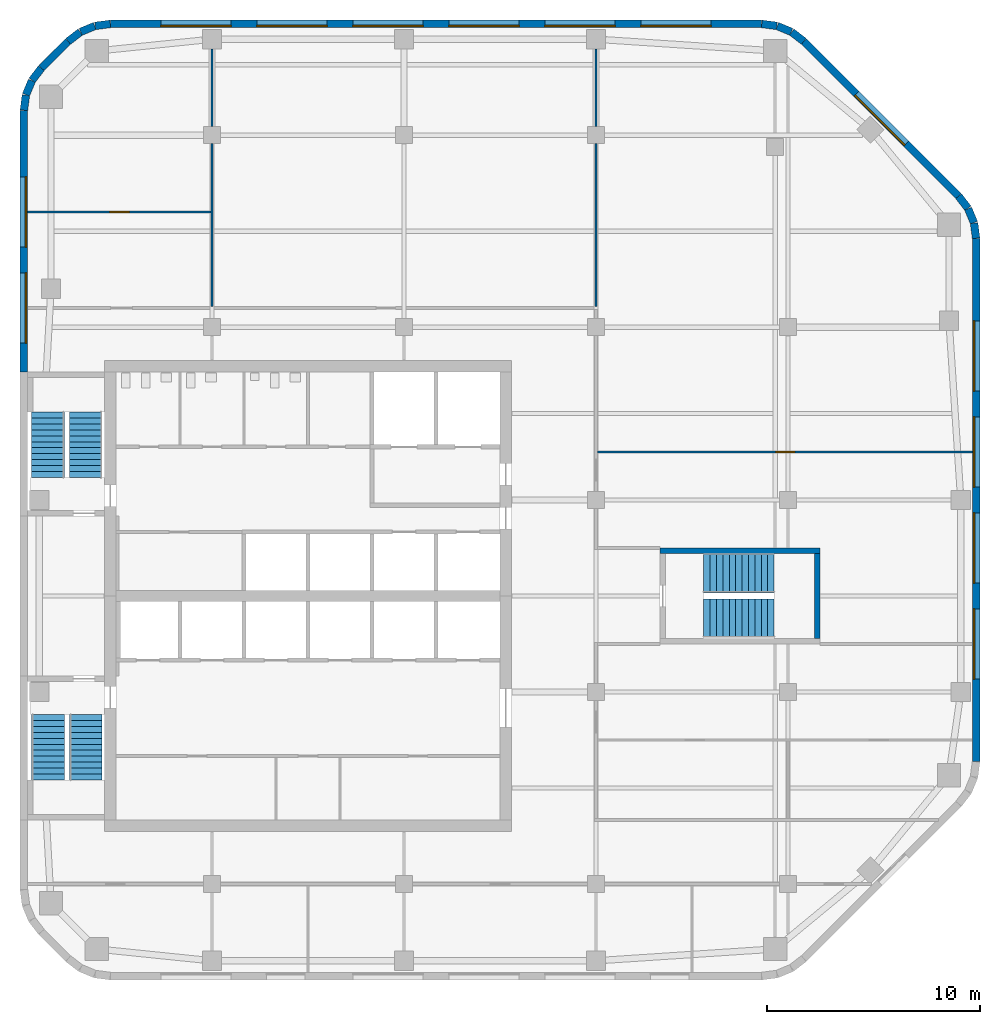
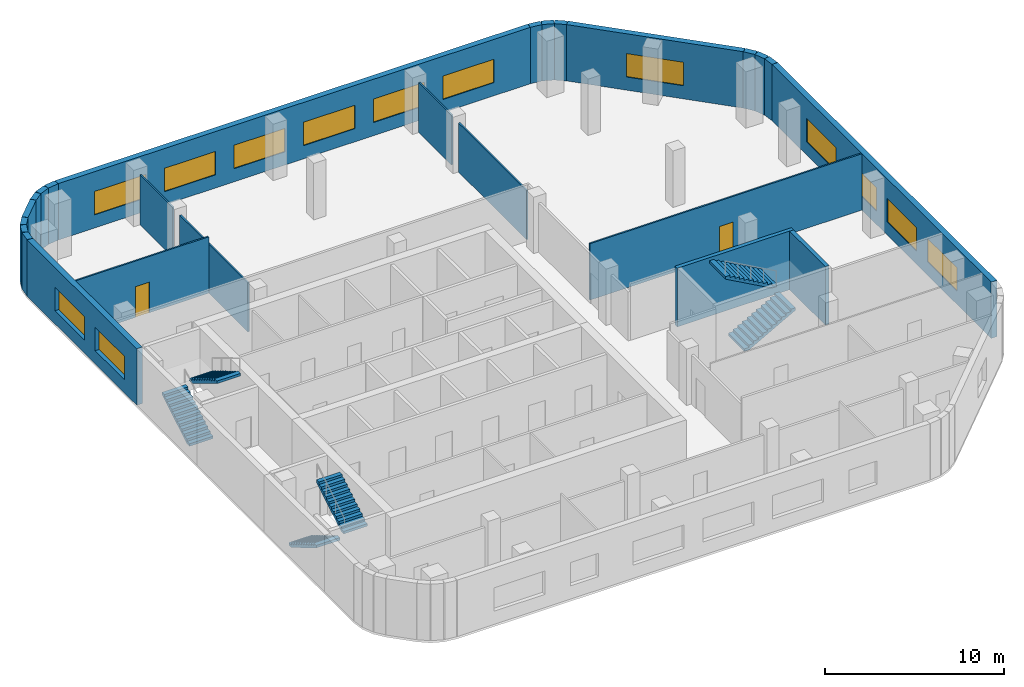
# One storey, part 5 of 7: 25 walls, 13 windows, 6 stair flights, 2 doors, 15 openings, 3 elements without a shape of their own.
"""IFC4 building model written with IfcOpenShell, lengths in metres."""

from ifc_helpers import new_model, si_unit, direction, frame, frame_2d, origin, place, context, subcontext, project, spatial, polyline, rectangle, outline, extrude, material, layer, layer_set, type_object, element, fill, aggregate, save


model = new_model("IFC4")

# Units and contexts
model_context = context("Model", 3, precision=1e-05, world=origin(), true_north=direction((0.0, 1.0)))
body_context = subcontext(model_context, "Body", "Model", "MODEL_VIEW")
ifc_project = project(units=[si_unit("LENGTHUNIT", "METRE"), si_unit("AREAUNIT", "SQUARE_METRE"), si_unit("VOLUMEUNIT", "CUBIC_METRE"), si_unit("PLANEANGLEUNIT", "RADIAN"), si_unit("MASSUNIT", "GRAM", prefix="KILO")], contexts=[model_context])

# Site, building, storey
site_placement = place(None, origin())
site = spatial("IfcSite", under=ifc_project, at=site_placement, CompositionType="ELEMENT")
building_placement = place(site_placement, origin())
building = spatial("IfcBuilding", under=site, at=building_placement, Name="Cinnabar Reach Civic Tower", CompositionType="ELEMENT")
storey_placement = place(building_placement, frame((0.0, 0.0, 230.0)))
storey = spatial("IfcBuildingStorey", under=building, at=storey_placement, Name="L55", CompositionType="ELEMENT", Elevation=230.0)

# Walls
ifc_material_1 = material(Name="Facing brick with insulated backing", Category="masonry")
ifc_layer_1 = layer(ifc_material_1, 0.36)
ifc_layer_set_1 = layer_set([ifc_layer_1], Name="Brick corner wall")
wall_type_1 = type_object("IfcWallType", Name="Brick corner wall", PredefinedType="STANDARD", material=ifc_layer_set_1)
for number, where, z_axis, x_axis, name in (
    (1, (44.817, 48.2686, 0.0), (0.0, 0.0, 1.0), (-0.13055608231, 0.99144092581, 0.0), "Brick corner wall"),
    (2, (44.7181, 48.9973, 0.0), (0.0, 0.0, 1.0), (-0.382702709855, 0.923871547278, 0.0), "Brick corner wall"),
):
    element("IfcWall", number, at=place(storey_placement, frame(where, z_axis=z_axis, x_axis=x_axis)), inside=storey, type_object=wall_type_1, Name=name, PredefinedType="STANDARD", context=body_context, shape_type="SweptSolid", body=[
        extrude(rectangle(XDim=0.7131, YDim=0.36, at=frame_2d((0.3565, 0.0))), origin(), (0.0, 0.0, 1.0), 3.85),
    ])
for number, where, z_axis, x_axis, name in (
    (3, (44.434, 49.6755, 0.0), (0.0, 0.0, 1.0), (-0.608802368033, 0.793321924995, 0.0), "Brick corner wall"),
    (4, (36.7413, 57.4998, 0.0), (0.0, 0.0, 1.0), (-0.793321924995, 0.608802368033, 0.0), "Brick corner wall"),
):
    element("IfcWall", number, at=place(storey_placement, frame(where, z_axis=z_axis, x_axis=x_axis)), inside=storey, type_object=wall_type_1, Name=name, PredefinedType="STANDARD", context=body_context, shape_type="SweptSolid", body=[
        extrude(rectangle(XDim=0.7132, YDim=0.36, at=frame_2d((0.3566, 0.0))), origin(), (0.0, 0.0, 1.0), 3.85),
    ])
for number, where, z_axis, x_axis, name in (
    (5, (36.1561, 57.9452, 0.0), (0.0, 0.0, 1.0), (-0.923871547278, 0.382702709855, 0.0), "Brick corner wall"),
    (6, (35.4756, 58.2239, 0.0), (0.0, 0.0, 1.0), (-0.99144092581, 0.13055608231, 0.0), "Brick corner wall"),
    (7, (4.2314, 58.317, 0.0), (0.0, 0.0, 1.0), (-0.99144092581, -0.13055608231, 0.0), "Brick corner wall"),
    (8, (3.5027, 58.2181, 0.0), (0.0, 0.0, 1.0), (-0.923871547278, -0.382702709855, 0.0), "Brick corner wall"),
):
    element("IfcWall", number, at=place(storey_placement, frame(where, z_axis=z_axis, x_axis=x_axis)), inside=storey, type_object=wall_type_1, Name=name, PredefinedType="STANDARD", context=body_context, shape_type="SweptSolid", body=[
        extrude(rectangle(XDim=0.7131, YDim=0.36, at=frame_2d((0.3565, 0.0))), origin(), (0.0, 0.0, 1.0), 3.85),
    ])
for number, where, z_axis, x_axis, name in (
    (9, (2.8245, 57.934, 0.0), (0.0, 0.0, 1.0), (-0.793321924995, -0.608802368033, 0.0), "Brick corner wall"),
    (10, (1.0002, 56.2413, 0.0), (0.0, 0.0, 1.0), (-0.608802368033, -0.793321924995, 0.0), "Brick corner wall"),
):
    element("IfcWall", number, at=place(storey_placement, frame(where, z_axis=z_axis, x_axis=x_axis)), inside=storey, type_object=wall_type_1, Name=name, PredefinedType="STANDARD", context=body_context, shape_type="SweptSolid", body=[
        extrude(rectangle(XDim=0.7132, YDim=0.36, at=frame_2d((0.3566, 0.0))), origin(), (0.0, 0.0, 1.0), 3.85),
    ])
for number, where, z_axis, x_axis, name in (
    (11, (0.5548, 55.6561, 0.0), (0.0, 0.0, 1.0), (-0.382702709855, -0.923871547278, 0.0), "Brick corner wall"),
    (12, (0.2761, 54.9756, 0.0), (0.0, 0.0, 1.0), (-0.13055608231, -0.99144092581, 0.0), "Brick corner wall"),
):
    element("IfcWall", number, at=place(storey_placement, frame(where, z_axis=z_axis, x_axis=x_axis)), inside=storey, type_object=wall_type_1, Name=name, PredefinedType="STANDARD", context=body_context, shape_type="SweptSolid", body=[
        extrude(rectangle(XDim=0.7131, YDim=0.36, at=frame_2d((0.3565, 0.0))), origin(), (0.0, 0.0, 1.0), 3.85),
    ])

# Wall, openings, windows
ifc_layer_2 = layer(ifc_material_1, 0.36)
ifc_layer_set_2 = layer_set([ifc_layer_2], Name="Brick pier and spandrel wall")
wall_type_2 = type_object("IfcWallType", Name="Brick pier and spandrel wall", PredefinedType="STANDARD", material=ifc_layer_set_2)
wall_1_placement = place(storey_placement, frame((44.82, 23.7426, 0.0), z_axis=(0.0, 0.0, 1.0), x_axis=(0.0, 1.0, 0.0)))
wall_1 = element("IfcWall", 13, at=wall_1_placement, inside=storey, type_object=wall_type_2, Name="Brick facade wall", PredefinedType="STANDARD", context=body_context, shape_type="SweptSolid", body=[
    extrude(rectangle(XDim=24.5148, YDim=0.36, at=frame_2d((12.2574, 0.0))), origin(), (0.0, 0.0, 1.0), 3.85),
])
opening_1_placement = place(wall_1_placement, frame((3.8574, 0.0, 0.9)))
opening_1 = element("IfcOpeningElement", 14, at=opening_1_placement, cuts=wall_1, Name="Opening W2127", PredefinedType="OPENING", context=body_context, shape_type="SweptSolid", body=[
    extrude(rectangle(XDim=3.3, YDim=1.6, at=frame_2d((1.65, 0.8))), frame((0.0, 0.19, 0.0), z_axis=(0.0, -1.0, 0.0), x_axis=(1.0, 0.0, 0.0)), (0.0, 0.0, 1.0), 0.38),
])
opening_2_placement = place(wall_1_placement, frame((8.3574, 0.0, 0.9)))
opening_2 = element("IfcOpeningElement", 15, at=opening_2_placement, cuts=wall_1, Name="Opening W2128", PredefinedType="OPENING", context=body_context, shape_type="SweptSolid", body=[
    extrude(rectangle(XDim=3.3, YDim=1.6, at=frame_2d((1.65, 0.8))), frame((0.0, 0.19, 0.0), z_axis=(0.0, -1.0, 0.0), x_axis=(1.0, 0.0, 0.0)), (0.0, 0.0, 1.0), 0.38),
])
opening_3_placement = place(wall_1_placement, frame((12.8574, 0.0, 0.9)))
opening_3 = element("IfcOpeningElement", 16, at=opening_3_placement, cuts=wall_1, Name="Opening W2129", PredefinedType="OPENING", context=body_context, shape_type="SweptSolid", body=[
    extrude(rectangle(XDim=3.3, YDim=1.6, at=frame_2d((1.65, 0.8))), frame((0.0, 0.19, 0.0), z_axis=(0.0, -1.0, 0.0), x_axis=(1.0, 0.0, 0.0)), (0.0, 0.0, 1.0), 0.38),
])
opening_4_placement = place(wall_1_placement, frame((17.3574, 0.0, 0.9)))
opening_4 = element("IfcOpeningElement", 17, at=opening_4_placement, cuts=wall_1, Name="Opening W2130", PredefinedType="OPENING", context=body_context, shape_type="SweptSolid", body=[
    extrude(rectangle(XDim=3.3, YDim=1.6, at=frame_2d((1.65, 0.8))), frame((0.0, 0.19, 0.0), z_axis=(0.0, -1.0, 0.0), x_axis=(1.0, 0.0, 0.0)), (0.0, 0.0, 1.0), 0.38),
])
ifc_material_2 = material(Name="Clear double glazing in aluminium frame", Category="aluminium")
window_type = type_object("IfcWindowType", Name="Deep-set window A", PartitioningType="SINGLE_PANEL", PredefinedType="WINDOW", material=ifc_material_2)
window_1_placement = place(opening_1_placement, origin())
window_1 = element("IfcWindow", 18, at=window_1_placement, inside=storey, type_object=window_type, Name="Window east face", OverallHeight=1.6, OverallWidth=3.3, PartitioningType="SINGLE_PANEL", PredefinedType="WINDOW", context=body_context, shape_type="SweptSolid", body=[
    extrude(rectangle(XDim=3.3, YDim=1.6, at=frame_2d((1.65, 0.8))), frame((0.0, 0.13, 0.0), z_axis=(0.0, -1.0, 0.0), x_axis=(1.0, 0.0, 0.0)), (0.0, 0.0, 1.0), 0.06),
])
fill(opening_1, window_1)
window_2_placement = place(opening_2_placement, origin())
window_2 = element("IfcWindow", 19, at=window_2_placement, inside=storey, type_object=window_type, Name="Window east face", OverallHeight=1.6, OverallWidth=3.3, PartitioningType="SINGLE_PANEL", PredefinedType="WINDOW", context=body_context, shape_type="SweptSolid", body=[
    extrude(rectangle(XDim=3.3, YDim=1.6, at=frame_2d((1.65, 0.8))), frame((0.0, 0.13, 0.0), z_axis=(0.0, -1.0, 0.0), x_axis=(1.0, 0.0, 0.0)), (0.0, 0.0, 1.0), 0.06),
])
fill(opening_2, window_2)
window_3_placement = place(opening_3_placement, origin())
window_3 = element("IfcWindow", 20, at=window_3_placement, inside=storey, type_object=window_type, Name="Window east face", OverallHeight=1.6, OverallWidth=3.3, PartitioningType="SINGLE_PANEL", PredefinedType="WINDOW", context=body_context, shape_type="SweptSolid", body=[
    extrude(rectangle(XDim=3.3, YDim=1.6, at=frame_2d((1.65, 0.8))), frame((0.0, 0.13, 0.0), z_axis=(0.0, -1.0, 0.0), x_axis=(1.0, 0.0, 0.0)), (0.0, 0.0, 1.0), 0.06),
])
fill(opening_3, window_3)
window_4_placement = place(opening_4_placement, origin())
window_4 = element("IfcWindow", 21, at=window_4_placement, inside=storey, type_object=window_type, Name="Window east face", OverallHeight=1.6, OverallWidth=3.3, PartitioningType="SINGLE_PANEL", PredefinedType="WINDOW", context=body_context, shape_type="SweptSolid", body=[
    extrude(rectangle(XDim=3.3, YDim=1.6, at=frame_2d((1.65, 0.8))), frame((0.0, 0.13, 0.0), z_axis=(0.0, -1.0, 0.0), x_axis=(1.0, 0.0, 0.0)), (0.0, 0.0, 1.0), 0.06),
])
fill(opening_4, window_4)

# Wall, opening, window
wall_2_placement = place(storey_placement, frame((43.994, 50.2514, 0.0), z_axis=(0.0, 0.0, 1.0), x_axis=(-0.707106781187, 0.707106781187, 0.0)))
wall_2 = element("IfcWall", 22, at=wall_2_placement, inside=storey, type_object=wall_type_2, Name="Brick facade wall", PredefinedType="STANDARD", context=body_context, shape_type="SweptSolid", body=[
    extrude(rectangle(XDim=10.2426, YDim=0.36, at=frame_2d((5.1213, 0.0))), origin(), (0.0, 0.0, 1.0), 3.85),
])
opening_5_placement = place(wall_2_placement, frame((3.4713, 0.0, 0.9)))
opening_5 = element("IfcOpeningElement", 23, at=opening_5_placement, cuts=wall_2, Name="Opening W2131", PredefinedType="OPENING", context=body_context, shape_type="SweptSolid", body=[
    extrude(rectangle(XDim=3.3, YDim=1.6, at=frame_2d((1.65, 0.8))), frame((0.0, 0.19, 0.0), z_axis=(0.0, -1.0, 0.0), x_axis=(1.0, 0.0, 0.0)), (0.0, 0.0, 1.0), 0.38),
])
window_5_placement = place(opening_5_placement, origin())
window_5 = element("IfcWindow", 24, at=window_5_placement, inside=storey, type_object=window_type, Name="Window northeast face", OverallHeight=1.6, OverallWidth=3.3, PartitioningType="SINGLE_PANEL", PredefinedType="WINDOW", context=body_context, shape_type="SweptSolid", body=[
    extrude(rectangle(XDim=3.3, YDim=1.6, at=frame_2d((1.65, 0.8))), frame((0.0, 0.13, 0.0), z_axis=(0.0, -1.0, 0.0), x_axis=(1.0, 0.0, 0.0)), (0.0, 0.0, 1.0), 0.06),
])
fill(opening_5, window_5)

# Wall, openings, windows
wall_3_placement = place(storey_placement, frame((34.7574, 58.32, 0.0), z_axis=(0.0, 0.0, 1.0), x_axis=(-1.0, 0.0, 0.0)))
wall_3 = element("IfcWall", 25, at=wall_3_placement, inside=storey, type_object=wall_type_2, Name="Brick facade wall", PredefinedType="STANDARD", context=body_context, shape_type="SweptSolid", body=[
    extrude(rectangle(XDim=30.5148, YDim=0.36, at=frame_2d((15.2574, 0.0))), origin(), (0.0, 0.0, 1.0), 3.85),
])
opening_6_placement = place(wall_3_placement, frame((2.3574, 0.0, 0.9)))
opening_6 = element("IfcOpeningElement", 26, at=opening_6_placement, cuts=wall_3, Name="Opening W2132", PredefinedType="OPENING", context=body_context, shape_type="SweptSolid", body=[
    extrude(rectangle(XDim=3.3, YDim=1.6, at=frame_2d((1.65, 0.8))), frame((0.0, 0.19, 0.0), z_axis=(0.0, -1.0, 0.0), x_axis=(1.0, 0.0, 0.0)), (0.0, 0.0, 1.0), 0.38),
])
opening_7_placement = place(wall_3_placement, frame((6.8574, 0.0, 0.9)))
opening_7 = element("IfcOpeningElement", 27, at=opening_7_placement, cuts=wall_3, Name="Opening W2133", PredefinedType="OPENING", context=body_context, shape_type="SweptSolid", body=[
    extrude(rectangle(XDim=3.3, YDim=1.6, at=frame_2d((1.65, 0.8))), frame((0.0, 0.19, 0.0), z_axis=(0.0, -1.0, 0.0), x_axis=(1.0, 0.0, 0.0)), (0.0, 0.0, 1.0), 0.38),
])
opening_8_placement = place(wall_3_placement, frame((11.3574, 0.0, 0.9)))
opening_8 = element("IfcOpeningElement", 28, at=opening_8_placement, cuts=wall_3, Name="Opening W2134", PredefinedType="OPENING", context=body_context, shape_type="SweptSolid", body=[
    extrude(rectangle(XDim=3.3, YDim=1.6, at=frame_2d((1.65, 0.8))), frame((0.0, 0.19, 0.0), z_axis=(0.0, -1.0, 0.0), x_axis=(1.0, 0.0, 0.0)), (0.0, 0.0, 1.0), 0.38),
])
opening_9_placement = place(wall_3_placement, frame((15.8574, 0.0, 0.9)))
opening_9 = element("IfcOpeningElement", 29, at=opening_9_placement, cuts=wall_3, Name="Opening W2135", PredefinedType="OPENING", context=body_context, shape_type="SweptSolid", body=[
    extrude(rectangle(XDim=3.3, YDim=1.6, at=frame_2d((1.65, 0.8))), frame((0.0, 0.19, 0.0), z_axis=(0.0, -1.0, 0.0), x_axis=(1.0, 0.0, 0.0)), (0.0, 0.0, 1.0), 0.38),
])
opening_10_placement = place(wall_3_placement, frame((20.3574, 0.0, 0.9)))
opening_10 = element("IfcOpeningElement", 30, at=opening_10_placement, cuts=wall_3, Name="Opening W2136", PredefinedType="OPENING", context=body_context, shape_type="SweptSolid", body=[
    extrude(rectangle(XDim=3.3, YDim=1.6, at=frame_2d((1.65, 0.8))), frame((0.0, 0.19, 0.0), z_axis=(0.0, -1.0, 0.0), x_axis=(1.0, 0.0, 0.0)), (0.0, 0.0, 1.0), 0.38),
])
opening_11_placement = place(wall_3_placement, frame((24.8574, 0.0, 0.9)))
opening_11 = element("IfcOpeningElement", 31, at=opening_11_placement, cuts=wall_3, Name="Opening W2137", PredefinedType="OPENING", context=body_context, shape_type="SweptSolid", body=[
    extrude(rectangle(XDim=3.3, YDim=1.6, at=frame_2d((1.65, 0.8))), frame((0.0, 0.19, 0.0), z_axis=(0.0, -1.0, 0.0), x_axis=(1.0, 0.0, 0.0)), (0.0, 0.0, 1.0), 0.38),
])
window_6_placement = place(opening_6_placement, origin())
window_6 = element("IfcWindow", 32, at=window_6_placement, inside=storey, type_object=window_type, Name="Window north face", OverallHeight=1.6, OverallWidth=3.3, PartitioningType="SINGLE_PANEL", PredefinedType="WINDOW", context=body_context, shape_type="SweptSolid", body=[
    extrude(rectangle(XDim=3.3, YDim=1.6, at=frame_2d((1.65, 0.8))), frame((0.0, 0.13, 0.0), z_axis=(0.0, -1.0, 0.0), x_axis=(1.0, 0.0, 0.0)), (0.0, 0.0, 1.0), 0.06),
])
fill(opening_6, window_6)
window_7_placement = place(opening_7_placement, origin())
window_7 = element("IfcWindow", 33, at=window_7_placement, inside=storey, type_object=window_type, Name="Window north face", OverallHeight=1.6, OverallWidth=3.3, PartitioningType="SINGLE_PANEL", PredefinedType="WINDOW", context=body_context, shape_type="SweptSolid", body=[
    extrude(rectangle(XDim=3.3, YDim=1.6, at=frame_2d((1.65, 0.8))), frame((0.0, 0.13, 0.0), z_axis=(0.0, -1.0, 0.0), x_axis=(1.0, 0.0, 0.0)), (0.0, 0.0, 1.0), 0.06),
])
fill(opening_7, window_7)
window_8_placement = place(opening_8_placement, origin())
window_8 = element("IfcWindow", 34, at=window_8_placement, inside=storey, type_object=window_type, Name="Window north face", OverallHeight=1.6, OverallWidth=3.3, PartitioningType="SINGLE_PANEL", PredefinedType="WINDOW", context=body_context, shape_type="SweptSolid", body=[
    extrude(rectangle(XDim=3.3, YDim=1.6, at=frame_2d((1.65, 0.8))), frame((0.0, 0.13, 0.0), z_axis=(0.0, -1.0, 0.0), x_axis=(1.0, 0.0, 0.0)), (0.0, 0.0, 1.0), 0.06),
])
fill(opening_8, window_8)
window_9_placement = place(opening_9_placement, origin())
window_9 = element("IfcWindow", 35, at=window_9_placement, inside=storey, type_object=window_type, Name="Window north face", OverallHeight=1.6, OverallWidth=3.3, PartitioningType="SINGLE_PANEL", PredefinedType="WINDOW", context=body_context, shape_type="SweptSolid", body=[
    extrude(rectangle(XDim=3.3, YDim=1.6, at=frame_2d((1.65, 0.8))), frame((0.0, 0.13, 0.0), z_axis=(0.0, -1.0, 0.0), x_axis=(1.0, 0.0, 0.0)), (0.0, 0.0, 1.0), 0.06),
])
fill(opening_9, window_9)
window_10_placement = place(opening_10_placement, origin())
window_10 = element("IfcWindow", 36, at=window_10_placement, inside=storey, type_object=window_type, Name="Window north face", OverallHeight=1.6, OverallWidth=3.3, PartitioningType="SINGLE_PANEL", PredefinedType="WINDOW", context=body_context, shape_type="SweptSolid", body=[
    extrude(rectangle(XDim=3.3, YDim=1.6, at=frame_2d((1.65, 0.8))), frame((0.0, 0.13, 0.0), z_axis=(0.0, -1.0, 0.0), x_axis=(1.0, 0.0, 0.0)), (0.0, 0.0, 1.0), 0.06),
])
fill(opening_10, window_10)
window_11_placement = place(opening_11_placement, origin())
window_11 = element("IfcWindow", 37, at=window_11_placement, inside=storey, type_object=window_type, Name="Window north face", OverallHeight=1.6, OverallWidth=3.3, PartitioningType="SINGLE_PANEL", PredefinedType="WINDOW", context=body_context, shape_type="SweptSolid", body=[
    extrude(rectangle(XDim=3.3, YDim=1.6, at=frame_2d((1.65, 0.8))), frame((0.0, 0.13, 0.0), z_axis=(0.0, -1.0, 0.0), x_axis=(1.0, 0.0, 0.0)), (0.0, 0.0, 1.0), 0.06),
])
fill(opening_11, window_11)

# Wall
wall_4_placement = place(storey_placement, frame((2.2486, 57.494, 0.0), z_axis=(0.0, 0.0, 1.0), x_axis=(-0.707106781187, -0.707106781187, 0.0)))
element("IfcWall", 38, at=wall_4_placement, inside=storey, type_object=wall_type_2, Name="Brick facade wall", PredefinedType="STANDARD", context=body_context, shape_type="SweptSolid", body=[
    extrude(rectangle(XDim=1.7573, YDim=0.36, at=frame_2d((0.8787, 0.0))), origin(), (0.0, 0.0, 1.0), 3.85),
])

# Wall, openings, windows
wall_5_placement = place(storey_placement, frame((0.18, 54.2574, 0.0), z_axis=(0.0, 0.0, 1.0), x_axis=(0.0, -1.0, 0.0)))
wall_5 = element("IfcWall", 39, at=wall_5_placement, inside=storey, type_object=wall_type_2, Name="Brick facade wall", PredefinedType="STANDARD", context=body_context, shape_type="SweptSolid", body=[
    extrude(rectangle(XDim=12.2574, YDim=0.36, at=frame_2d((6.1287, 0.0))), origin(), (0.0, 0.0, 1.0), 3.85),
])
opening_12_placement = place(wall_5_placement, frame((3.1074, 0.0, 0.9)))
opening_12 = element("IfcOpeningElement", 40, at=opening_12_placement, cuts=wall_5, Name="Opening W2138", PredefinedType="OPENING", context=body_context, shape_type="SweptSolid", body=[
    extrude(rectangle(XDim=3.3, YDim=1.6, at=frame_2d((1.65, 0.8))), frame((0.0, 0.19, 0.0), z_axis=(0.0, -1.0, 0.0), x_axis=(1.0, 0.0, 0.0)), (0.0, 0.0, 1.0), 0.38),
])
opening_13_placement = place(wall_5_placement, frame((7.6074, 0.0, 0.9)))
opening_13 = element("IfcOpeningElement", 41, at=opening_13_placement, cuts=wall_5, Name="Opening W2139", PredefinedType="OPENING", context=body_context, shape_type="SweptSolid", body=[
    extrude(rectangle(XDim=3.3, YDim=1.6, at=frame_2d((1.65, 0.8))), frame((0.0, 0.19, 0.0), z_axis=(0.0, -1.0, 0.0), x_axis=(1.0, 0.0, 0.0)), (0.0, 0.0, 1.0), 0.38),
])
window_12_placement = place(opening_12_placement, origin())
window_12 = element("IfcWindow", 42, at=window_12_placement, inside=storey, type_object=window_type, Name="Window west face", OverallHeight=1.6, OverallWidth=3.3, PartitioningType="SINGLE_PANEL", PredefinedType="WINDOW", context=body_context, shape_type="SweptSolid", body=[
    extrude(rectangle(XDim=3.3, YDim=1.6, at=frame_2d((1.65, 0.8))), frame((0.0, 0.13, 0.0), z_axis=(0.0, -1.0, 0.0), x_axis=(1.0, 0.0, 0.0)), (0.0, 0.0, 1.0), 0.06),
])
fill(opening_12, window_12)
window_13_placement = place(opening_13_placement, origin())
window_13 = element("IfcWindow", 43, at=window_13_placement, inside=storey, type_object=window_type, Name="Window west face", OverallHeight=1.6, OverallWidth=3.3, PartitioningType="SINGLE_PANEL", PredefinedType="WINDOW", context=body_context, shape_type="SweptSolid", body=[
    extrude(rectangle(XDim=3.3, YDim=1.6, at=frame_2d((1.65, 0.8))), frame((0.0, 0.13, 0.0), z_axis=(0.0, -1.0, 0.0), x_axis=(1.0, 0.0, 0.0)), (0.0, 0.0, 1.0), 0.06),
])
fill(opening_13, window_13)

# Wall, opening, door
ifc_material_3 = material(Name="Gypsum board on steel studs", Category="steel")
ifc_layer_3 = layer(ifc_material_3, 0.1)
ifc_layer_set_3 = layer_set([ifc_layer_3], Name="Partition wall 100 T1")
wall_type_3 = type_object("IfcWallType", Name="Partition wall 100 T1", PredefinedType="PARTITIONING", material=ifc_layer_set_3)
wall_6_placement = place(storey_placement, frame((27.075, 38.25, 0.0), z_axis=(0.0, 0.0, 1.0), x_axis=(1.0, 0.0, 0.0)))
wall_6 = element("IfcWall", 44, at=wall_6_placement, inside=storey, type_object=wall_type_3, Name="Partition wall 41", PredefinedType="PARTITIONING", context=body_context, shape_type="SweptSolid", body=[
    extrude(rectangle(XDim=17.565, YDim=0.1, at=frame_2d((8.7825, 0.0))), origin(), (0.0, 0.0, 1.0), 3.85),
])
opening_14_placement = place(wall_6_placement, frame((8.35, 0.0, 0.0)))
opening_14 = element("IfcOpeningElement", 45, at=opening_14_placement, cuts=wall_6, Name="Opening D5252", PredefinedType="OPENING", context=body_context, shape_type="SweptSolid", body=[
    extrude(rectangle(XDim=0.9, YDim=2.1, at=frame_2d((0.45, 1.05))), frame((0.0, 0.06, 0.0), z_axis=(0.0, -1.0, 0.0), x_axis=(1.0, 0.0, 0.0)), (0.0, 0.0, 1.0), 0.12),
])
ifc_material_4 = material(Name="Timber door leaf in steel frame", Category="steel")
door_type = type_object("IfcDoorType", Name="Single swing door 900 x 2100 T1", OperationType="SINGLE_SWING_LEFT", PredefinedType="DOOR", material=ifc_material_4)
door_1_placement = place(opening_14_placement, frame((0.9, 0.0, 0.0), z_axis=(0.0, 0.0, 1.0), x_axis=(-1.0, 0.0, 0.0)))
door_1 = element("IfcDoor", 46, at=door_1_placement, inside=storey, type_object=door_type, Name="Door D5252", OperationType="SINGLE_SWING_LEFT", OverallHeight=2.1, OverallWidth=0.9, PredefinedType="DOOR", context=body_context, shape_type="SweptSolid", body=[
    extrude(rectangle(XDim=0.9, YDim=2.1, at=frame_2d((0.45, 1.05))), frame((0.0, 0.025, 0.0), z_axis=(0.0, -1.0, 0.0), x_axis=(1.0, 0.0, 0.0)), (0.0, 0.0, 1.0), 0.05),
])
fill(opening_14, door_1)

# Walls
wall_7_placement = place(storey_placement, frame((9.0, 45.075, 0.0), z_axis=(0.0, 0.0, 1.0), x_axis=(0.0, 1.0, 0.0)))
element("IfcWall", 47, at=wall_7_placement, inside=storey, type_object=wall_type_3, Name="Partition wall 42", PredefinedType="PARTITIONING", context=body_context, shape_type="SweptSolid", body=[
    extrude(rectangle(XDim=7.625, YDim=0.1, at=frame_2d((3.8125, 0.0))), origin(), (0.0, 0.0, 1.0), 3.35),
])
wall_8_placement = place(storey_placement, frame((9.0, 53.5, 0.0), z_axis=(0.0, 0.0, 1.0), x_axis=(0.0, 1.0, 0.0)))
element("IfcWall", 48, at=wall_8_placement, inside=storey, type_object=wall_type_3, Name="Partition wall 43", PredefinedType="PARTITIONING", context=body_context, shape_type="SweptSolid", body=[
    extrude(rectangle(XDim=3.65, YDim=0.1, at=frame_2d((1.825, 0.0))), origin(), (0.0, 0.0, 1.0), 3.41),
])
wall_9_placement = place(storey_placement, frame((27.0, 45.075, 0.0), z_axis=(0.0, 0.0, 1.0), x_axis=(0.0, 1.0, 0.0)))
element("IfcWall", 49, at=wall_9_placement, inside=storey, type_object=wall_type_3, Name="Partition wall 44", PredefinedType="PARTITIONING", context=body_context, shape_type="SweptSolid", body=[
    extrude(rectangle(XDim=7.625, YDim=0.1, at=frame_2d((3.8125, 0.0))), origin(), (0.0, 0.0, 1.0), 3.35),
])
wall_10_placement = place(storey_placement, frame((27.0, 53.5, 0.0), z_axis=(0.0, 0.0, 1.0), x_axis=(0.0, 1.0, 0.0)))
element("IfcWall", 50, at=wall_10_placement, inside=storey, type_object=wall_type_3, Name="Partition wall 45", PredefinedType="PARTITIONING", context=body_context, shape_type="SweptSolid", body=[
    extrude(rectangle(XDim=3.65, YDim=0.1, at=frame_2d((1.825, 0.0))), origin(), (0.0, 0.0, 1.0), 3.41),
])

# Wall, opening, door
wall_11_placement = place(storey_placement, frame((0.36, 49.5, 0.0), z_axis=(0.0, 0.0, 1.0), x_axis=(1.0, 0.0, 0.0)))
wall_11 = element("IfcWall", 51, at=wall_11_placement, inside=storey, type_object=wall_type_3, Name="Partition wall 46", PredefinedType="PARTITIONING", context=body_context, shape_type="SweptSolid", body=[
    extrude(rectangle(XDim=8.59, YDim=0.1, at=frame_2d((4.295, 0.0))), origin(), (0.0, 0.0, 1.0), 3.85),
])
opening_15_placement = place(wall_11_placement, frame((3.85, 0.0, 0.0)))
opening_15 = element("IfcOpeningElement", 52, at=opening_15_placement, cuts=wall_11, Name="Opening D5260", PredefinedType="OPENING", context=body_context, shape_type="SweptSolid", body=[
    extrude(rectangle(XDim=0.9, YDim=2.1, at=frame_2d((0.45, 1.05))), frame((0.0, 0.06, 0.0), z_axis=(0.0, -1.0, 0.0), x_axis=(1.0, 0.0, 0.0)), (0.0, 0.0, 1.0), 0.12),
])
door_2_placement = place(opening_15_placement, frame((0.9, 0.0, 0.0), z_axis=(0.0, 0.0, 1.0), x_axis=(-1.0, 0.0, 0.0)))
door_2 = element("IfcDoor", 53, at=door_2_placement, inside=storey, type_object=door_type, Name="Door D5260", OperationType="SINGLE_SWING_LEFT", OverallHeight=2.1, OverallWidth=0.9, PredefinedType="DOOR", context=body_context, shape_type="SweptSolid", body=[
    extrude(rectangle(XDim=0.9, YDim=2.1, at=frame_2d((0.45, 1.05))), frame((0.0, 0.025, 0.0), z_axis=(0.0, -1.0, 0.0), x_axis=(1.0, 0.0, 0.0)), (0.0, 0.0, 1.0), 0.05),
])
fill(opening_15, door_2)

# Walls
ifc_material_5 = material(Name="Concrete C60", Category="concrete")
ifc_layer_4 = layer(ifc_material_5, 0.25)
ifc_layer_set_4 = layer_set([ifc_layer_4], Name="Stair shaft wall 250 EI 120")
wall_type_4 = type_object("IfcWallType", Name="Stair shaft wall 250 EI 120", PredefinedType="SOLIDWALL", material=ifc_layer_set_4)
wall_12_placement = place(storey_placement, frame((37.5, 33.625, 0.0), z_axis=(0.0, 0.0, 1.0), x_axis=(-1.0, 0.0, 0.0)))
element("IfcWall", 54, at=wall_12_placement, inside=storey, type_object=wall_type_4, Name="Stair shaft wall T1-S3 L55", PredefinedType="SOLIDWALL", context=body_context, shape_type="SweptSolid", body=[
    extrude(rectangle(XDim=7.5, YDim=0.25, at=frame_2d((3.75, 0.0))), origin(), (0.0, 0.0, 1.0), 4.0),
])
wall_13_placement = place(storey_placement, frame((37.375, 29.5, 0.0), z_axis=(0.0, 0.0, 1.0), x_axis=(0.0, 1.0, 0.0)))
element("IfcWall", 55, at=wall_13_placement, inside=storey, type_object=wall_type_4, Name="Stair shaft wall T1-S3 L55", PredefinedType="SOLIDWALL", context=body_context, shape_type="SweptSolid", body=[
    extrude(rectangle(XDim=4.0, YDim=0.25, at=frame_2d((2.0, 0.0))), origin(), (0.0, 0.0, 1.0), 4.0),
])

# Stair, stair flights
ifc_material_6 = material(Name="Concrete C40/50", Category="concrete")
stair_type = type_object("IfcStairType", Name="T1 Exit stair, half-turn", PredefinedType="HALF_TURN_STAIR", material=ifc_material_6)
stair_1_placement = place(storey_placement, origin())
stair_1 = element("IfcStair", 56, at=stair_1_placement, inside=storey, type_object=stair_type, Name="Stair T1-S1", PredefinedType="HALF_TURN_STAIR")
stair_flight_type = type_object("IfcStairFlightType", Name="T1 Stair flight, concrete", PredefinedType="STRAIGHT", material=ifc_material_6)
stair_flight_1_placement = place(storey_placement, frame((1.3125, 25.95, 0.0), z_axis=(0.0, 0.0, 1.0), x_axis=(0.0, -1.0, 0.0)))
stair_flight_1 = element("IfcStairFlight", 57, at=stair_flight_1_placement, type_object=stair_flight_type, Name="T1-S1 flight 1", NumberOfRisers=12, NumberOfTreads=11, PredefinedType="STRAIGHT", RiserHeight=0.166666667, TreadLength=0.28, context=body_context, shape_type="SweptSolid", body=[
    extrude(outline(polyline([(0.0, 0.0), (0.0, 0.1667), (0.28, 0.1667), (0.28, 0.3333), (0.56, 0.3333), (0.56, 0.5), (0.84, 0.5), (0.84, 0.6667), (1.12, 0.6667), (1.12, 0.8333), (1.4, 0.8333), (1.4, 1.0), (1.68, 1.0), (1.68, 1.1667), (1.96, 1.1667), (1.96, 1.3333), (2.24, 1.3333), (2.24, 1.5), (2.52, 1.5), (2.52, 1.6667), (2.8, 1.6667), (2.8, 1.8333), (3.08, 1.8333), (3.08, 2.0), (3.08, 1.6588), (0.2933, 0.0), (0.0, 0.0)])), frame((0.0, 0.7625, 0.0), z_axis=(0.0, -1.0, 0.0), x_axis=(1.0, 0.0, 0.0)), (0.0, 0.0, 1.0), 1.525),
])
stair_flight_2_placement = place(storey_placement, frame((3.0875, 22.87, 2.0), z_axis=(0.0, 0.0, 1.0), x_axis=(0.0, 1.0, 0.0)))
stair_flight_2 = element("IfcStairFlight", 58, at=stair_flight_2_placement, type_object=stair_flight_type, Name="T1-S1 flight 2", NumberOfRisers=12, NumberOfTreads=11, PredefinedType="STRAIGHT", RiserHeight=0.166666667, TreadLength=0.28, context=body_context, shape_type="SweptSolid", body=[
    extrude(outline(polyline([(0.0, 0.0), (0.0, 0.1667), (0.28, 0.1667), (0.28, 0.3333), (0.56, 0.3333), (0.56, 0.5), (0.84, 0.5), (0.84, 0.6667), (1.12, 0.6667), (1.12, 0.8333), (1.4, 0.8333), (1.4, 1.0), (1.68, 1.0), (1.68, 1.1667), (1.96, 1.1667), (1.96, 1.3333), (2.24, 1.3333), (2.24, 1.5), (2.52, 1.5), (2.52, 1.6667), (2.8, 1.6667), (2.8, 1.8333), (3.08, 1.8333), (3.08, 2.0), (3.08, 1.6588), (0.2933, 0.0), (0.0, 0.0)])), frame((0.0, 0.7625, 0.0), z_axis=(0.0, -1.0, 0.0), x_axis=(1.0, 0.0, 0.0)), (0.0, 0.0, 1.0), 1.525),
])
aggregate(stair_1, [stair_flight_1, stair_flight_2])

stair_2_placement = place(storey_placement, origin())
stair_2 = element("IfcStair", 59, at=stair_2_placement, inside=storey, type_object=stair_type, Name="Stair T1-S2", PredefinedType="HALF_TURN_STAIR")
stair_flight_3_placement = place(storey_placement, frame((1.3125, 37.05, 0.0), z_axis=(0.0, 0.0, 1.0), x_axis=(0.0, 1.0, 0.0)))
stair_flight_3 = element("IfcStairFlight", 60, at=stair_flight_3_placement, type_object=stair_flight_type, Name="T1-S2 flight 1", NumberOfRisers=12, NumberOfTreads=11, PredefinedType="STRAIGHT", RiserHeight=0.166666667, TreadLength=0.28, context=body_context, shape_type="SweptSolid", body=[
    extrude(outline(polyline([(0.0, 0.0), (0.0, 0.1667), (0.28, 0.1667), (0.28, 0.3333), (0.56, 0.3333), (0.56, 0.5), (0.84, 0.5), (0.84, 0.6667), (1.12, 0.6667), (1.12, 0.8333), (1.4, 0.8333), (1.4, 1.0), (1.68, 1.0), (1.68, 1.1667), (1.96, 1.1667), (1.96, 1.3333), (2.24, 1.3333), (2.24, 1.5), (2.52, 1.5), (2.52, 1.6667), (2.8, 1.6667), (2.8, 1.8333), (3.08, 1.8333), (3.08, 2.0), (3.08, 1.6588), (0.2933, 0.0), (0.0, 0.0)])), frame((0.0, 0.7625, 0.0), z_axis=(0.0, -1.0, 0.0), x_axis=(1.0, 0.0, 0.0)), (0.0, 0.0, 1.0), 1.525),
])
stair_flight_4_placement = place(storey_placement, frame((3.0875, 40.13, 2.0), z_axis=(0.0, 0.0, 1.0), x_axis=(0.0, -1.0, 0.0)))
stair_flight_4 = element("IfcStairFlight", 61, at=stair_flight_4_placement, type_object=stair_flight_type, Name="T1-S2 flight 2", NumberOfRisers=12, NumberOfTreads=11, PredefinedType="STRAIGHT", RiserHeight=0.166666667, TreadLength=0.28, context=body_context, shape_type="SweptSolid", body=[
    extrude(outline(polyline([(0.0, 0.0), (0.0, 0.1667), (0.28, 0.1667), (0.28, 0.3333), (0.56, 0.3333), (0.56, 0.5), (0.84, 0.5), (0.84, 0.6667), (1.12, 0.6667), (1.12, 0.8333), (1.4, 0.8333), (1.4, 1.0), (1.68, 1.0), (1.68, 1.1667), (1.96, 1.1667), (1.96, 1.3333), (2.24, 1.3333), (2.24, 1.5), (2.52, 1.5), (2.52, 1.6667), (2.8, 1.6667), (2.8, 1.8333), (3.08, 1.8333), (3.08, 2.0), (3.08, 1.6588), (0.2933, 0.0), (0.0, 0.0)])), frame((0.0, 0.7625, 0.0), z_axis=(0.0, -1.0, 0.0), x_axis=(1.0, 0.0, 0.0)), (0.0, 0.0, 1.0), 1.525),
])
aggregate(stair_2, [stair_flight_3, stair_flight_4])

stair_3_placement = place(storey_placement, origin())
stair_3 = element("IfcStair", 62, at=stair_3_placement, inside=storey, type_object=stair_type, Name="Stair T1-S3", PredefinedType="HALF_TURN_STAIR")
stair_flight_5_placement = place(storey_placement, frame((32.05, 30.45, 0.0), z_axis=(0.0, 0.0, 1.0), x_axis=(1.0, 0.0, 0.0)))
stair_flight_5 = element("IfcStairFlight", 63, at=stair_flight_5_placement, type_object=stair_flight_type, Name="T1-S3 flight 1", NumberOfRisers=12, NumberOfTreads=11, PredefinedType="STRAIGHT", RiserHeight=0.166666667, TreadLength=0.3, context=body_context, shape_type="SweptSolid", body=[
    extrude(outline(polyline([(0.0, 0.0), (0.0, 0.1667), (0.3, 0.1667), (0.3, 0.3333), (0.6, 0.3333), (0.6, 0.5), (0.9, 0.5), (0.9, 0.6667), (1.2, 0.6667), (1.2, 0.8333), (1.5, 0.8333), (1.5, 1.0), (1.8, 1.0), (1.8, 1.1667), (2.1, 1.1667), (2.1, 1.3333), (2.4, 1.3333), (2.4, 1.5), (2.7, 1.5), (2.7, 1.6667), (3.0, 1.6667), (3.0, 1.8333), (3.3, 1.8333), (3.3, 2.0), (3.3, 1.6617), (0.3089, 0.0), (0.0, 0.0)])), frame((0.0, 0.9, 0.0), z_axis=(0.0, -1.0, 0.0), x_axis=(1.0, 0.0, 0.0)), (0.0, 0.0, 1.0), 1.8),
])
stair_flight_6_placement = place(storey_placement, frame((35.35, 32.55, 2.0), z_axis=(0.0, 0.0, 1.0), x_axis=(-1.0, 0.0, 0.0)))
stair_flight_6 = element("IfcStairFlight", 64, at=stair_flight_6_placement, type_object=stair_flight_type, Name="T1-S3 flight 2", NumberOfRisers=12, NumberOfTreads=11, PredefinedType="STRAIGHT", RiserHeight=0.166666667, TreadLength=0.3, context=body_context, shape_type="SweptSolid", body=[
    extrude(outline(polyline([(0.0, 0.0), (0.0, 0.1667), (0.3, 0.1667), (0.3, 0.3333), (0.6, 0.3333), (0.6, 0.5), (0.9, 0.5), (0.9, 0.6667), (1.2, 0.6667), (1.2, 0.8333), (1.5, 0.8333), (1.5, 1.0), (1.8, 1.0), (1.8, 1.1667), (2.1, 1.1667), (2.1, 1.3333), (2.4, 1.3333), (2.4, 1.5), (2.7, 1.5), (2.7, 1.6667), (3.0, 1.6667), (3.0, 1.8333), (3.3, 1.8333), (3.3, 2.0), (3.3, 1.6617), (0.3089, 0.0), (0.0, 0.0)])), frame((0.0, 0.9, 0.0), z_axis=(0.0, -1.0, 0.0), x_axis=(1.0, 0.0, 0.0)), (0.0, 0.0, 1.0), 1.8),
])
aggregate(stair_3, [stair_flight_5, stair_flight_6])

save(model, "model.ifc")
